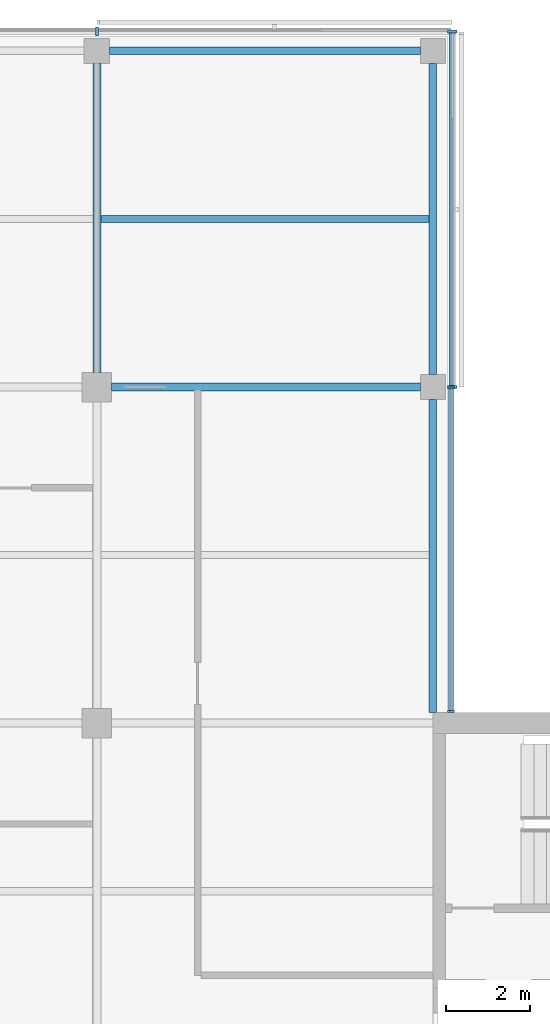
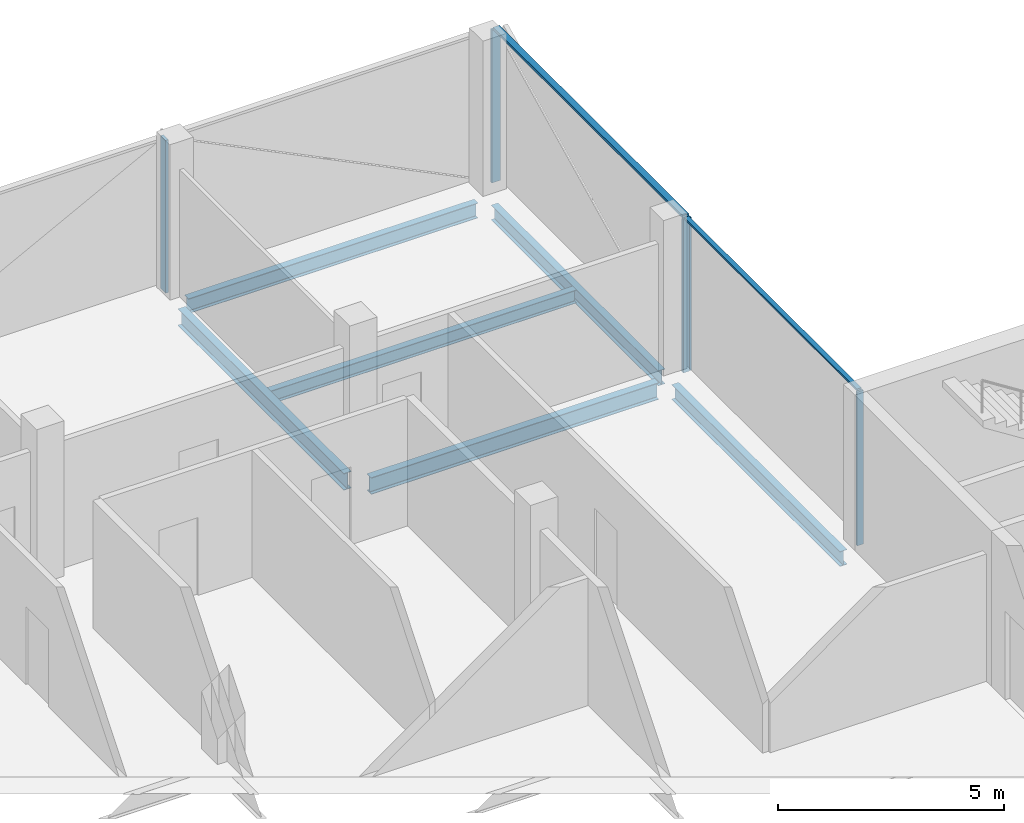
# One storey, part 7 of 16: 7 members, 6 beams, 3 elements without a shape of their own.
"""IFC4 building model written with IfcOpenShell, lengths in metres."""

from ifc_helpers import new_model, si_unit, direction, frame, origin, origin_2d, place, context, subcontext, project, spatial, rectangle, i_section, extrude, material, material_profile, profile_set, type_object, element, aggregate, save


model = new_model("IFC4")

# Units and contexts
model_context = context("Model", 3, precision=1e-05, world=origin(), true_north=direction((0.0, 1.0)))
body_context = subcontext(model_context, "Body", "Model", "MODEL_VIEW")
ifc_project = project(units=[si_unit("LENGTHUNIT", "METRE"), si_unit("AREAUNIT", "SQUARE_METRE"), si_unit("VOLUMEUNIT", "CUBIC_METRE"), si_unit("PLANEANGLEUNIT", "RADIAN"), si_unit("MASSUNIT", "GRAM", prefix="KILO")], contexts=[model_context])

# Site, building, storey
site_placement = place(None, origin())
site = spatial("IfcSite", under=ifc_project, at=site_placement, CompositionType="ELEMENT")
building_placement = place(site_placement, origin())
building = spatial("IfcBuilding", under=site, at=building_placement, Name="Crosswind Convention Tower", CompositionType="ELEMENT")
storey_placement = place(building_placement, frame((0.0, 0.0, 253.5)))
storey = spatial("IfcBuildingStorey", under=building, at=storey_placement, Name="L54", CompositionType="ELEMENT", Elevation=253.5)

# Beams
ifc_material_1 = material(Name="Steel S355", Category="steel")
ifc_material_profile_1 = material_profile(ifc_material_1, i_section(OverallWidth=0.177734375, OverallDepth=0.406494140625, WebThickness=0.0078125, FlangeThickness=0.0126953125, FilletRadius=0.01025390625, at=origin_2d()), Name="UB 406x178x60")
ifc_profile_set_1 = profile_set([ifc_material_profile_1], Name="Steel S355")
beam_type_1 = type_object("IfcBeamType", Name="Edge beam UB 406x178x60", PredefinedType="SPANDREL", material=ifc_profile_set_1)
beam_1_placement = place(storey_placement, frame((129.300048828125, 128.0, -0.503173828125), z_axis=(1.0, 0.0, 0.0), x_axis=(0.0, 1.0, 0.0)))
element("IfcBeam", 1, at=beam_1_placement, inside=storey, type_object=beam_type_1, Name="B15 L54 edge beam 10", PredefinedType="SPANDREL", context=body_context, shape_type="SweptSolid", body=[
    extrude(i_section(OverallWidth=0.177734375, OverallDepth=0.406494140625, WebThickness=0.0078125, FlangeThickness=0.0126953125, FilletRadius=0.01025390625, at=origin_2d()), origin(), (0.0, 0.0, 1.0), 7.39990234375),
])
beam_2_placement = place(storey_placement, frame((137.0, 112.25, -0.503173828125), z_axis=(0.0, 1.0, 0.0), x_axis=(-1.0, 0.0, 0.0)))
element("IfcBeam", 2, at=beam_2_placement, inside=storey, type_object=beam_type_1, Name="B15 L54 edge beam 13", PredefinedType="SPANDREL", context=body_context, shape_type="SweptSolid", body=[
    extrude(i_section(OverallWidth=0.177734375, OverallDepth=0.406494140625, WebThickness=0.0078125, FlangeThickness=0.0126953125, FilletRadius=0.01025390625, at=origin_2d()), origin(), (0.0, 0.0, 1.0), 7.449951171875),
])
beam_3_placement = place(storey_placement, frame((137.0, 120.300048828125, -0.503173828125), z_axis=(0.0, 1.0, 0.0), x_axis=(-1.0, 0.0, 0.0)))
element("IfcBeam", 3, at=beam_3_placement, inside=storey, type_object=beam_type_1, Name="B15 L54 edge beam 14", PredefinedType="SPANDREL", context=body_context, shape_type="SweptSolid", body=[
    extrude(i_section(OverallWidth=0.177734375, OverallDepth=0.406494140625, WebThickness=0.0078125, FlangeThickness=0.0126953125, FilletRadius=0.01025390625, at=origin_2d()), origin(), (0.0, 0.0, 1.0), 7.39990234375),
])
ifc_material_profile_2 = material_profile(ifc_material_1, i_section(OverallWidth=0.18994140625, OverallDepth=0.45361328125, WebThickness=0.008544921875, FlangeThickness=0.0126953125, FilletRadius=0.01025390625, at=origin_2d()), Name="UB 457x191x67")
ifc_profile_set_2 = profile_set([ifc_material_profile_2], Name="Steel S355")
beam_type_2 = type_object("IfcBeamType", Name="Girder UB 457x191x67", PredefinedType="BEAM", material=ifc_profile_set_2)
for number, where, z_axis, x_axis, name in (
    (4, (129.0, 120.35009765625, -0.52685546875), (0.0, 1.0, 0.0), (-1.0, 0.0, 0.0), "B1 L54 girder 22"),
    (5, (129.35009765625, 120.0, -0.52685546875), (1.0, 0.0, 0.0), (0.0, 1.0, 0.0), "B1 L54 girder 24"),
):
    element("IfcBeam", number, at=place(storey_placement, frame(where, z_axis=z_axis, x_axis=x_axis)), inside=storey, type_object=beam_type_2, Name=name, PredefinedType="BEAM", context=body_context, shape_type="SweptSolid", body=[
        extrude(i_section(OverallWidth=0.18994140625, OverallDepth=0.45361328125, WebThickness=0.008544921875, FlangeThickness=0.0126953125, FilletRadius=0.01025390625, at=origin_2d()), origin(), (0.0, 0.0, 1.0), 7.349853515625),
    ])

# Curtain wall, members
ifc_material_2 = material(Name="Aluminium unitised curtain wall", Category="aluminium")
curtain_wall_type_1 = type_object("IfcCurtainWallType", Name="CORE END SLOT WALL 160", PredefinedType="USERDEFINED", material=ifc_material_2)
curtain_wall_1_placement = place(storey_placement, origin())
curtain_wall_1 = element("IfcCurtainWall", 6, at=curtain_wall_1_placement, inside=storey, type_object=curtain_wall_type_1, Name="CW6 L54 N-E.1-1 slot", ObjectType="UNITISED", PredefinedType="USERDEFINED")
ifc_material_3 = material(Name="Aluminium mullion", Category="aluminium")
ifc_material_profile_3 = material_profile(ifc_material_3, rectangle(XDim=0.159912109375, YDim=0.050048828125, at=origin_2d()), Name="AL 160X50")
ifc_profile_set_3 = profile_set([ifc_material_profile_3], Name="Aluminium mullion")
member_type_1 = type_object("IfcMemberType", Name="MULLION 50X160", PredefinedType="MULLION", material=ifc_profile_set_3)
member_1_placement = place(storey_placement, frame((137.429931640625, 112.27490234375, -0.300048828125), z_axis=(0.0, 0.0, 1.0), x_axis=(1.0, 0.0, 0.0)))
member_1 = element("IfcMember", 7, at=member_1_placement, type_object=member_type_1, Name="CW6 mullion 1", PredefinedType="MULLION", context=body_context, shape_type="SweptSolid", body=[
    extrude(rectangle(XDim=0.159912109375, YDim=0.050048828125, at=origin_2d()), origin(), (0.0, 0.0, 1.0), 4.150146484375),
])
member_2_placement = place(storey_placement, frame((137.429931640625, 119.97509765625, -0.300048828125), z_axis=(0.0, 0.0, 1.0), x_axis=(1.0, 0.0, 0.0)))
member_2 = element("IfcMember", 8, at=member_2_placement, type_object=member_type_1, Name="CW6 mullion 2", PredefinedType="MULLION", context=body_context, shape_type="SweptSolid", body=[
    extrude(rectangle(XDim=0.159912109375, YDim=0.050048828125, at=origin_2d()), origin(), (0.0, 0.0, 1.0), 4.150146484375),
])

curtain_wall_type_2 = type_object("IfcCurtainWallType", Name="OFFICE UNITISED WALL 220", PredefinedType="USERDEFINED", material=ifc_material_2)
curtain_wall_2_placement = place(storey_placement, origin())
curtain_wall_2 = element("IfcCurtainWall", 9, at=curtain_wall_2_placement, inside=storey, type_object=curtain_wall_type_2, Name="CW3 L54 N-E 1", ObjectType="UNITISED", PredefinedType="USERDEFINED")
ifc_material_profile_4 = material_profile(ifc_material_3, rectangle(XDim=0.219970703125, YDim=0.070068359375, at=origin_2d()), Name="AL 220X70")
ifc_profile_set_4 = profile_set([ifc_material_profile_4], Name="Aluminium mullion")
member_type_2 = type_object("IfcMemberType", Name="MULLION 70X220", PredefinedType="MULLION", material=ifc_profile_set_4)
member_3_placement = place(storey_placement, frame((137.4599609375, 120.0, -0.300048828125), z_axis=(0.0, 0.0, 1.0), x_axis=(1.0, 0.0, 0.0)))
member_3 = element("IfcMember", 10, at=member_3_placement, type_object=member_type_2, Name="CW3 mullion 1", PredefinedType="MULLION", context=body_context, shape_type="SweptSolid", body=[
    extrude(rectangle(XDim=0.219970703125, YDim=0.070068359375, at=origin_2d()), origin(), (0.0, 0.0, 1.0), 4.130126953125),
])
member_4_placement = place(storey_placement, frame((137.4599609375, 128.4599609375, -0.300048828125), z_axis=(0.0, 0.0, 1.0), x_axis=(1.0, 0.0, 0.0)))
member_4 = element("IfcMember", 11, at=member_4_placement, type_object=member_type_2, Name="CW3 mullion 2", PredefinedType="MULLION", context=body_context, shape_type="SweptSolid", body=[
    extrude(rectangle(XDim=0.219970703125, YDim=0.070068359375, at=origin_2d()), origin(), (0.0, 0.0, 1.0), 4.130126953125),
])

# Curtain wall, member
curtain_wall_3_placement = place(storey_placement, origin())
curtain_wall_3 = element("IfcCurtainWall", 12, at=curtain_wall_3_placement, inside=storey, type_object=curtain_wall_type_2, Name="CW3 L54 N-TIP 1", ObjectType="UNITISED", PredefinedType="USERDEFINED")
member_5_placement = place(storey_placement, frame((129.0, 128.4599609375, -0.300048828125), z_axis=(0.0, 0.0, 1.0), x_axis=(0.0, 1.0, 0.0)))
member_5 = element("IfcMember", 13, at=member_5_placement, type_object=member_type_2, Name="CW3 mullion 2", PredefinedType="MULLION", context=body_context, shape_type="SweptSolid", body=[
    extrude(rectangle(XDim=0.219970703125, YDim=0.070068359375, at=origin_2d()), origin(), (0.0, 0.0, 1.0), 4.130126953125),
])
aggregate(curtain_wall_3, [member_5])

# Beam
ifc_material_profile_5 = material_profile(ifc_material_1, i_section(OverallWidth=0.17138671875, OverallDepth=0.355712890625, WebThickness=0.00732421875, FlangeThickness=0.011474609375, FilletRadius=0.01025390625, at=origin_2d()), Name="UB 356x171x51")
ifc_profile_set_5 = profile_set([ifc_material_profile_5], Name="Steel S355")
beam_type_3 = type_object("IfcBeamType", Name="Secondary beam UB 356x171x51", PredefinedType="JOIST", material=ifc_profile_set_5)
beam_4_placement = place(storey_placement, frame((129.094970703125, 124.0, -0.477783203125), z_axis=(1.0, 0.0, 0.0), x_axis=(0.0, 1.0, 0.0)))
element("IfcBeam", 14, at=beam_4_placement, inside=storey, type_object=beam_type_3, Name="B8 L54 secondary beam 21", PredefinedType="JOIST", context=body_context, shape_type="SweptSolid", body=[
    extrude(i_section(OverallWidth=0.17138671875, OverallDepth=0.355712890625, WebThickness=0.00732421875, FlangeThickness=0.011474609375, FilletRadius=0.01025390625, at=origin_2d()), origin(), (0.0, 0.0, 1.0), 7.816162109375),
])

# Member
ifc_material_4 = material(Name="Aluminium transom", Category="aluminium")
ifc_material_profile_6 = material_profile(ifc_material_4, rectangle(XDim=0.1201171875, YDim=0.050048828125, at=origin_2d()), Name="AL 120X50")
ifc_profile_set_6 = profile_set([ifc_material_profile_6], Name="Aluminium transom")
member_type_3 = type_object("IfcMemberType", Name="TRANSOM 50X120", PredefinedType="USERDEFINED", material=ifc_profile_set_6)
member_6_placement = place(storey_placement, frame((137.429931640625, 112.300048828125, 3.875), z_axis=(0.0, 1.0, 0.0), x_axis=(-1.0, 0.0, 0.0)))
member_6 = element("IfcMember", 15, at=member_6_placement, type_object=member_type_3, Name="CW6 transom", ObjectType="TRANSOM", PredefinedType="USERDEFINED", context=body_context, shape_type="SweptSolid", body=[
    extrude(rectangle(XDim=0.1201171875, YDim=0.050048828125, at=origin_2d()), origin(), (0.0, 0.0, 1.0), 7.64990234375),
])

aggregate(curtain_wall_1, [member_1, member_2, member_6])

ifc_material_profile_7 = material_profile(ifc_material_4, rectangle(XDim=0.159912109375, YDim=0.070068359375, at=origin_2d()), Name="AL 160X70")
ifc_profile_set_7 = profile_set([ifc_material_profile_7], Name="Aluminium transom")
member_type_4 = type_object("IfcMemberType", Name="TRANSOM 70X160", PredefinedType="USERDEFINED", material=ifc_profile_set_7)
member_7_placement = place(storey_placement, frame((137.4599609375, 120.034912109375, 3.864990234375), z_axis=(0.0, 1.0, 0.0), x_axis=(-1.0, 0.0, 0.0)))
member_7 = element("IfcMember", 16, at=member_7_placement, type_object=member_type_4, Name="CW3 transom", ObjectType="TRANSOM", PredefinedType="USERDEFINED", context=body_context, shape_type="SweptSolid", body=[
    extrude(rectangle(XDim=0.159912109375, YDim=0.070068359375, at=origin_2d()), origin(), (0.0, 0.0, 1.0), 8.39013671875),
])

aggregate(curtain_wall_2, [member_3, member_4, member_7])

save(model, "model.ifc")
